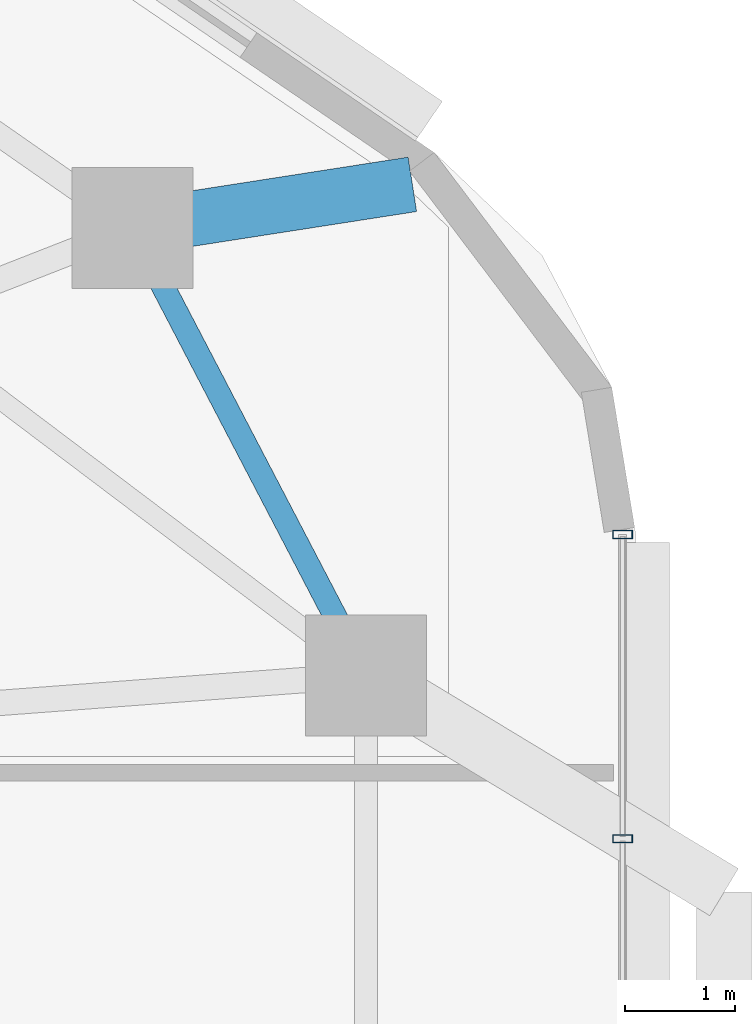
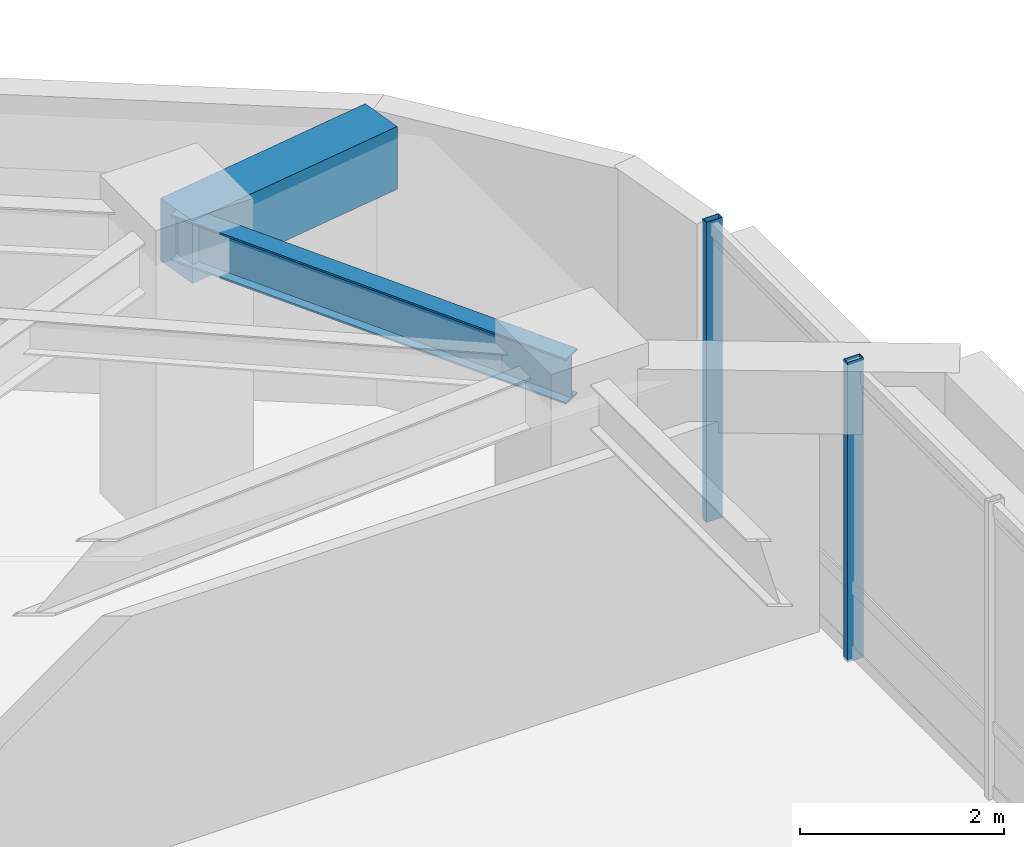
# One storey, part 6 of 14: 2 beams, 2 members, 1 element without a shape of its own.
"""IFC4 building model written with IfcOpenShell, lengths in metres."""

import ifcopenshell
import ifcopenshell.guid

model = None  # the IFC model being written
_history = None  # IfcOwnerHistory: only IFC2X3 demands one
_inside = {}  # id of a spatial element -> (the spatial element, [elements in it])
_under = {}  # id of a project, library or spatial element -> (it, [spatial elements below it])
_declared = {}  # id of a project -> (the project, [libraries it declares])
_typed = {}  # id of a type object -> (the type object, [elements of that type])
_made_of = {}  # id of a material, layer set ... -> (it, [elements and type objects made of it])


def new_model(schema):
    """Start an empty IFC model of exactly this schema.

    Asked for "IFC4X3", IfcOpenShell would pick the latest addendum, in which some entities
    have other attributes; the version numbers below select the first issue.
    IFC2X3 requires an IfcOwnerHistory on every rooted entity: one is made here for all.
    """
    global model, _history
    if schema == "IFC4X3":
        model = ifcopenshell.file(schema_version=(4, 3, 0, 0))
    else:
        model = ifcopenshell.file(schema=schema)
    _inside.clear()
    _under.clear()
    _declared.clear()
    _typed.clear()
    _made_of.clear()
    _history = None
    if model.schema == "IFC2X3":
        org = make("IfcOrganization", Name="unknown")
        user = make(
            "IfcPersonAndOrganization",
            ThePerson=make("IfcPerson", FamilyName="unknown"),
            TheOrganization=org,
        )
        app = make(
            "IfcApplication",
            ApplicationDeveloper=org,
            Version="unknown",
            ApplicationFullName="unknown",
            ApplicationIdentifier="unknown",
        )
        _history = make(
            "IfcOwnerHistory",
            OwningUser=user,
            OwningApplication=app,
            ChangeAction="ADDED",
            CreationDate=0,
        )
    return model


def make(cls, **values):
    """One entity of the class cls with the attributes given. An attribute that is None is left unset."""
    return model.create_entity(
        cls, **{name: value for name, value in values.items() if value is not None}
    )


def rooted(cls, **values):
    """An entity with a GlobalId (a new one), such as an element, a storey or a relation."""
    return make(cls, GlobalId=ifcopenshell.guid.new(), OwnerHistory=_history, **values)


def si_unit(unit_type, name, prefix=None):
    """IfcSIUnit, for example si_unit("LENGTHUNIT", "METRE", prefix="MILLI")."""
    return make("IfcSIUnit", UnitType=unit_type, Prefix=prefix, Name=name)


def assignment(units):
    """IfcUnitAssignment: the units of a project."""
    return None if units is None else make("IfcUnitAssignment", Units=units)


def point(xyz):
    """IfcCartesianPoint."""
    return None if xyz is None else make("IfcCartesianPoint", Coordinates=xyz)


def direction(xyz):
    """IfcDirection."""
    return None if xyz is None else make("IfcDirection", DirectionRatios=xyz)


def frame(location, z_axis=None, x_axis=None):
    """IfcAxis2Placement3D, a coordinate frame: its origin and axes. An axis left out is left unset."""
    return make(
        "IfcAxis2Placement3D",
        Location=point(location),
        Axis=direction(z_axis),
        RefDirection=direction(x_axis),
    )


def frame_2d(location, x_axis=None):
    """IfcAxis2Placement2D, a coordinate frame in the plane: its origin and x axis."""
    return make(
        "IfcAxis2Placement2D", Location=point(location), RefDirection=direction(x_axis)
    )


def origin():
    """The frame at (0, 0, 0) with its axes left unset."""
    return frame((0.0, 0.0, 0.0))


def origin_2d():
    """The frame at (0, 0) in the plane with its x axis left unset."""
    return frame_2d((0.0, 0.0))


def place(relative_to, where):
    """IfcLocalPlacement: puts the frame where relative to a parent placement (None: the world)."""
    return make(
        "IfcLocalPlacement", PlacementRelTo=relative_to, RelativePlacement=where
    )


def context(
    kind, dimensions, precision=None, world=None, true_north=None, identifier=None
):
    """IfcGeometricRepresentationContext, for example the 3D "Model" context."""
    return make(
        "IfcGeometricRepresentationContext",
        ContextIdentifier=identifier,
        ContextType=kind,
        CoordinateSpaceDimension=dimensions,
        Precision=precision,
        WorldCoordinateSystem=world,
        TrueNorth=true_north,
    )


def subcontext(parent, identifier, kind, view, scale=None):
    """IfcGeometricRepresentationSubContext, for example "Body" below "Model"."""
    return make(
        "IfcGeometricRepresentationSubContext",
        ContextIdentifier=identifier,
        ContextType=kind,
        ParentContext=parent,
        TargetScale=scale,
        TargetView=view,
    )


def project(units=None, contexts=None):
    """IfcProject with its units and contexts."""
    return rooted(
        "IfcProject",
        Name="project",
        RepresentationContexts=contexts,
        UnitsInContext=assignment(units),
    )


def spatial(cls, under=None, at=None, **own):
    """A site, building, storey or space (cls), placed at a placement, below another one or the project."""
    s = rooted(cls, ObjectPlacement=at, **own)
    if under is not None:
        _under.setdefault(under.id(), (under, []))[1].append(s)
    return s


def profile(cls, at=None, kind="AREA", **sizes):
    """A parametric profile (cls). Its sizes go by their IFC names, for example OverallWidth=200.0."""
    return make(cls, ProfileType=kind, Position=at, **sizes)


def rectangle(**sizes):
    """IfcRectangleProfileDef."""
    return profile("IfcRectangleProfileDef", **sizes)


def hollow_rectangle(**sizes):
    """IfcRectangleHollowProfileDef."""
    return profile("IfcRectangleHollowProfileDef", **sizes)


def i_section(**sizes):
    """IfcIShapeProfileDef."""
    return profile("IfcIShapeProfileDef", **sizes)


def extrude(swept, where, along, depth):
    """IfcExtrudedAreaSolid: the profile swept, set in the frame where, extruded along a direction by depth."""
    return make(
        "IfcExtrudedAreaSolid",
        SweptArea=swept,
        Position=where,
        ExtrudedDirection=direction(along),
        Depth=depth,
    )


def shape(context_of_items, identifier, shape_type, items):
    """IfcShapeRepresentation: the items that make up one representation, for example the "Body"."""
    return make(
        "IfcShapeRepresentation",
        ContextOfItems=context_of_items,
        RepresentationIdentifier=identifier,
        RepresentationType=shape_type,
        Items=items,
    )


def material(Name=None, Category=None):
    """IfcMaterial."""
    return make("IfcMaterial", Name=Name, Category=Category)


def material_profile(
    of_material, cross_section, Name=None, Category=None, Priority=None
):
    """IfcMaterialProfile: a cross section and its material."""
    return make(
        "IfcMaterialProfile",
        Name=Name,
        Material=of_material,
        Profile=cross_section,
        Priority=Priority,
        Category=Category,
    )


def profile_set(profiles, Name=None, composite=None):
    """IfcMaterialProfileSet."""
    return make(
        "IfcMaterialProfileSet",
        Name=Name,
        MaterialProfiles=profiles,
        CompositeProfile=composite,
    )


def made_of(thing, what):
    """Note that an element or type object is made of a material, layer set ...; save() writes the relation."""
    if what is not None:
        _made_of.setdefault(what.id(), (what, []))[1].append(thing)
    return thing


def type_object(cls, material=None, **own):
    """A type object (cls), such as IfcWallType, which elements share."""
    return made_of(rooted(cls, **own), material)


def element(
    cls,
    number,
    at=None,
    inside=None,
    cuts=None,
    type_object=None,
    material=None,
    context=None,
    identifier="Body",
    shape_type=None,
    held_by="IfcProductDefinitionShape",
    body=None,
    shapes=None,
    **own,
):
    """One element of the class cls, such as IfcWall. Its Tag is "e" and its number.

    at: its placement. inside: the storey or other place that contains it. cuts: it is an
    opening in that element (IfcRelVoidsElement). A single representation is given by context,
    identifier, shape_type and body (its items); several are given by shapes. held_by: the class
    of the entity that holds the representations. save() writes the other relations.
    """
    e = rooted(cls, Tag="e%d" % number, ObjectPlacement=at, **own)
    if body is not None:
        shapes = [shape(context, identifier, shape_type, body)]
    if shapes is not None:
        e.Representation = make(held_by, Representations=shapes)
    if inside is not None:
        _inside.setdefault(inside.id(), (inside, []))[1].append(e)
    if cuts is not None:
        rooted(
            "IfcRelVoidsElement", RelatingBuildingElement=cuts, RelatedOpeningElement=e
        )
    if type_object is not None:
        _typed.setdefault(type_object.id(), (type_object, []))[1].append(e)
    return made_of(e, material)


def aggregate(whole, parts):
    """IfcRelAggregates: a whole, such as a stair, and the parts it consists of."""
    return rooted("IfcRelAggregates", RelatingObject=whole, RelatedObjects=parts)


def save(model, path):
    """Write the relations noted so far, then the file.

    IfcRelAggregates (storeys below a building ...), IfcRelContainedInSpatialStructure (elements
    in a storey), IfcRelDefinesByType, IfcRelAssociatesMaterial and IfcRelDeclares: one each for
    every whole, place, type object, material and project.
    """
    for whole, parts in _under.values():
        aggregate(whole, parts)
    for where, things in _inside.values():
        rooted(
            "IfcRelContainedInSpatialStructure",
            RelatedElements=things,
            RelatingStructure=where,
        )
    for kind, things in _typed.values():
        rooted("IfcRelDefinesByType", RelatedObjects=things, RelatingType=kind)
    for what, things in _made_of.values():
        rooted("IfcRelAssociatesMaterial", RelatedObjects=things, RelatingMaterial=what)
    for by, libraries in _declared.values():
        rooted("IfcRelDeclares", RelatingContext=by, RelatedDefinitions=libraries)
    model.write(path)


model = new_model("IFC4")

# Units and contexts
model_context = context("Model", 3, precision=1e-05, world=origin(), true_north=direction((0.0, 1.0)))
body_context = subcontext(model_context, "Body", "Model", "MODEL_VIEW")
ifc_project = project(units=[si_unit("LENGTHUNIT", "METRE"), si_unit("AREAUNIT", "SQUARE_METRE"), si_unit("VOLUMEUNIT", "CUBIC_METRE"), si_unit("PLANEANGLEUNIT", "RADIAN"), si_unit("MASSUNIT", "GRAM", prefix="KILO")], contexts=[model_context])

# Site, building, storey
site_placement = place(None, origin())
site = spatial("IfcSite", under=ifc_project, at=site_placement, CompositionType="ELEMENT")
building_placement = place(site_placement, origin())
building = spatial("IfcBuilding", under=site, at=building_placement, Name="Zulverin Broadcast Headquarters", CompositionType="ELEMENT")
storey_placement = place(building_placement, frame((0.0, 0.0, 85.800048828125)))
storey = spatial("IfcBuildingStorey", under=building, at=storey_placement, Name="L21", CompositionType="ELEMENT", Elevation=85.800048828125)

# Beams
ifc_material_1 = material(Name="Concrete C40/50", Category="concrete")
ifc_material_profile_1 = material_profile(ifc_material_1, rectangle(XDim=0.5, YDim=0.75, at=origin_2d()), Name="Concrete C40/50", Category="concrete")
ifc_profile_set_1 = profile_set([ifc_material_profile_1], Name="Concrete C40/50")
beam_type_1 = type_object("IfcBeamType", Name="BM-RC-500x750", PredefinedType="BEAM", material=ifc_profile_set_1)
beam_1_placement = place(storey_placement, frame((61.630126953125, 38.298583984375, 3.14990234375), z_axis=(0.988133444256, 0.153597839639, 0.0), x_axis=(-0.153597839639, 0.988133444256, 0.0)))
element("IfcBeam", 1, at=beam_1_placement, inside=storey, type_object=beam_type_1, Name="L22 Plate Overhang Back-Spanned Beam OVR-07", PredefinedType="BEAM", context=body_context, shape_type="SweptSolid", body=[
    extrude(rectangle(XDim=0.5, YDim=0.75, at=origin_2d()), origin(), (0.0, 0.0, 1.0), 2.57177734375),
])
ifc_material_2 = material(Name="Structural steel S355JR", Category="steel")
ifc_material_profile_2 = material_profile(ifc_material_2, i_section(OverallWidth=0.2119140625, OverallDepth=0.54443359375, WebThickness=0.0126953125, FlangeThickness=0.021240234375, at=origin_2d()), Name="Structural steel S355JR", Category="steel")
ifc_profile_set_2 = profile_set([ifc_material_profile_2], Name="Structural steel S355JR")
beam_type_2 = type_object("IfcBeamType", Name="BM-UB-533", PredefinedType="SPANDREL", material=ifc_profile_set_2)
beam_2_placement = place(storey_placement, frame((63.75, 34.235107421875, 3.252685546875), z_axis=(-0.462531417359, 0.886602891917, 0.0), x_axis=(-0.886602891917, -0.462531417359, 0.0)))
element("IfcBeam", 2, at=beam_2_placement, inside=storey, type_object=beam_type_2, Name="L21 Perimeter Spandrel Beam SP-06", PredefinedType="SPANDREL", context=body_context, shape_type="SweptSolid", body=[
    extrude(i_section(OverallWidth=0.2119140625, OverallDepth=0.54443359375, WebThickness=0.0126953125, FlangeThickness=0.021240234375, at=origin_2d()), origin(), (0.0, 0.0, 1.0), 4.583251953125),
])

# Curtain wall, members
ifc_material_3 = material(Name="Low-zone ribbon unitised curtain wall", Category="aluminium")
curtain_wall_type = type_object("IfcCurtainWallType", Name="CW-TWR-LOW", PredefinedType="USERDEFINED", material=ifc_material_3)
curtain_wall_placement = place(storey_placement, origin())
curtain_wall = element("IfcCurtainWall", 3, at=curtain_wall_placement, inside=storey, type_object=curtain_wall_type, Name="L21 Unitised Curtain Wall CW-L21-E3", ObjectType="UNITISED CURTAIN WALL", PredefinedType="USERDEFINED")
ifc_material_4 = material(Name="Anodized pale-metal aluminium alloy 6063-T6", Category="aluminium")
ifc_material_profile_3 = material_profile(ifc_material_4, hollow_rectangle(XDim=0.074951171875, YDim=0.179931640625, WallThickness=0.0048828125, at=origin_2d()), Name="Anodized pale-metal aluminium alloy 6063-T6", Category="aluminium")
ifc_profile_set_3 = profile_set([ifc_material_profile_3], Name="Anodized pale-metal aluminium alloy 6063-T6")
member_type = type_object("IfcMemberType", Name="CW-MUL-180", PredefinedType="MULLION", material=ifc_profile_set_3)
member_1_placement = place(storey_placement, frame((66.080078125, 32.7529296875, -0.030029296875), z_axis=(0.0, 0.0, 1.0), x_axis=(0.0, 1.0, 0.0)))
member_1 = element("IfcMember", 4, at=member_1_placement, type_object=member_type, Name="CW-L21-E3 Mullion 06", PredefinedType="MULLION", context=body_context, shape_type="SweptSolid", body=[
    extrude(hollow_rectangle(XDim=0.074951171875, YDim=0.179931640625, WallThickness=0.0048828125, at=origin_2d()), origin(), (0.0, 0.0, 1.0), 3.5849609375),
])
member_2_placement = place(storey_placement, frame((66.080078125, 35.514404296875, -0.030029296875), z_axis=(0.0, 0.0, 1.0), x_axis=(0.0, 1.0, 0.0)))
member_2 = element("IfcMember", 5, at=member_2_placement, type_object=member_type, Name="CW-L21-E3 Mullion 07", PredefinedType="MULLION", context=body_context, shape_type="SweptSolid", body=[
    extrude(hollow_rectangle(XDim=0.074951171875, YDim=0.179931640625, WallThickness=0.0048828125, at=origin_2d()), origin(), (0.0, 0.0, 1.0), 3.5849609375),
])
aggregate(curtain_wall, [member_1, member_2])

save(model, "model.ifc")
